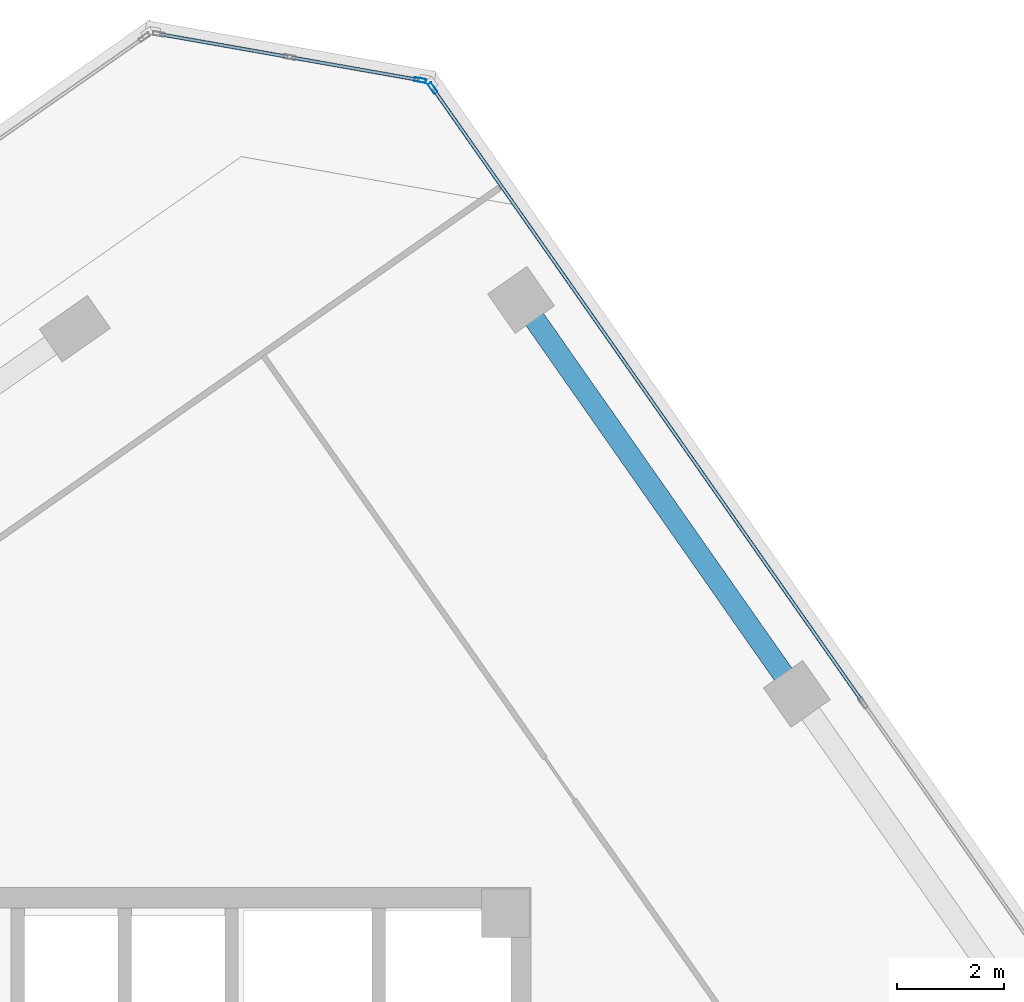
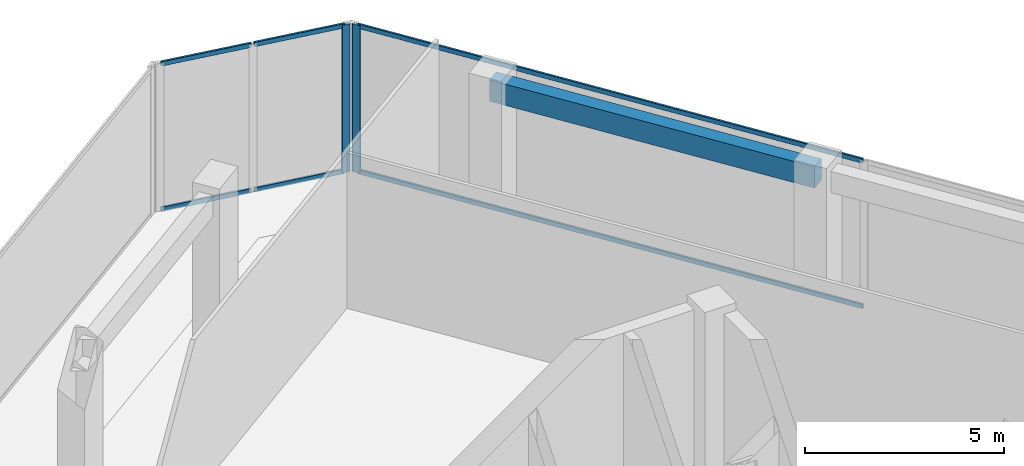
# One storey, part 9 of 16: 8 members, 1 beam, 2 elements without a shape of their own.
"""IFC4 building model written with IfcOpenShell, lengths in metres."""

from ifc_helpers import new_model, si_unit, direction, frame, origin, origin_2d, place, context, subcontext, project, spatial, rectangle, hollow_rectangle, extrude, source, transform, mapped, material, material_profile, profile_set, type_object, element, aggregate, save


model = new_model("IFC4")

# Units and contexts
model_context = context("Model", 3, precision=1e-05, world=origin(), true_north=direction((0.0, 1.0)))
body_context = subcontext(model_context, "Body", "Model", "MODEL_VIEW")
ifc_project = project(units=[si_unit("LENGTHUNIT", "METRE"), si_unit("AREAUNIT", "SQUARE_METRE"), si_unit("VOLUMEUNIT", "CUBIC_METRE"), si_unit("PLANEANGLEUNIT", "RADIAN"), si_unit("MASSUNIT", "GRAM", prefix="KILO")], contexts=[model_context])

# Site, building, storey
site_placement = place(None, origin())
site = spatial("IfcSite", under=ifc_project, at=site_placement, CompositionType="ELEMENT")
building_placement = place(site_placement, origin())
building = spatial("IfcBuilding", under=site, at=building_placement, Name="Torre Montelarca", CompositionType="ELEMENT")
storey_placement = place(building_placement, frame((0.0, 0.0, 293.800048828125)))
storey = spatial("IfcBuildingStorey", under=building, at=storey_placement, Name="L66", CompositionType="ELEMENT", Elevation=293.800048828125)

# Beam
ifc_material_1 = material(Name="Concrete C40/50", Category="concrete")
ifc_material_profile_1 = material_profile(ifc_material_1, rectangle(XDim=0.39990234375, YDim=0.64990234375, at=origin_2d()), Name="RCB400X650", Category="concrete")
ifc_profile_set_1 = profile_set([ifc_material_profile_1], Name="Concrete C40/50")
beam_type = type_object("IfcBeamType", Name="BM-SP-RC650-EXT", PredefinedType="SPANDREL", material=ifc_profile_set_1)
shared_shape_1 = source(origin(), body_context, "Body", "SweptSolid", [
    extrude(rectangle(XDim=0.39990234375, YDim=0.64990234375, at=origin_2d()), origin(), (0.0, 0.0, 1.0), 9.0),
])
beam_placement = place(storey_placement, frame((26.740478515625, 50.92919921875, 4.43505859375), z_axis=(0.573560650686, -0.819163097304, 0.0), x_axis=(0.819163097304, 0.573560650686, 0.0)))
element("IfcBeam", 1, at=beam_placement, inside=storey, type_object=beam_type, Name="L66 Grid Girder X 9.0-18.0 at Y=47.1", PredefinedType="SPANDREL", context=body_context, shape_type="MappedRepresentation", body=[
    mapped(shared_shape_1, transform((0.0, 0.0, 0.0), scale=1.0)),
])

# Curtain wall, member
ifc_material_2 = material(Name="Insulated low-E laminated glass", Category="glass")
curtain_wall_type = type_object("IfcCurtainWallType", Name="CW-SYS-Z4", PredefinedType="USERDEFINED", material=ifc_material_2)
curtain_wall_1_placement = place(storey_placement, origin())
curtain_wall_1 = element("IfcCurtainWall", 2, at=curtain_wall_1_placement, inside=storey, type_object=curtain_wall_type, Name="L66 Curtain Wall Run CW-T3-L66-E08-B1", ObjectType="UNITISED GLAZING", PredefinedType="USERDEFINED")
ifc_material_3 = material(Name="Anodised aluminium AA 6063-T6", Category="aluminium")
ifc_material_profile_2 = material_profile(ifc_material_3, hollow_rectangle(XDim=0.074951171875, YDim=0.219970703125, WallThickness=0.0048828125, InnerFilletRadius=0.0048828125, OuterFilletRadius=0.010009765625, at=origin_2d()), Name="ALU75X220X5", Category="aluminium")
ifc_profile_set_2 = profile_set([ifc_material_profile_2], Name="Anodised aluminium AA 6063-T6")
member_type_1 = type_object("IfcMemberType", Name="CWM-ALU220", PredefinedType="MULLION", material=ifc_profile_set_2)
shared_shape_2 = source(origin(), body_context, "Body", "SweptSolid", [
    extrude(hollow_rectangle(XDim=0.074951171875, YDim=0.219970703125, WallThickness=0.0048828125, InnerFilletRadius=0.0048828125, OuterFilletRadius=0.010009765625, at=origin_2d()), origin(), (0.0, 0.0, 1.0), 4.52001953125),
])
member_1_placement = place(storey_placement, frame((25.0869140625, 54.89453125, 0.0), z_axis=(0.0, 0.0, 1.0), x_axis=(-0.819155860287, -0.573570986503, 0.0)))
member_1 = element("IfcMember", 3, at=member_1_placement, type_object=member_type_1, Name="CW mullion 3", PredefinedType="MULLION", context=body_context, shape_type="MappedRepresentation", body=[
    mapped(shared_shape_2, transform((0.0, 0.0, 0.0), scale=1.0)),
])

# Curtain wall, members
curtain_wall_2_placement = place(storey_placement, origin())
curtain_wall_2 = element("IfcCurtainWall", 4, at=curtain_wall_2_placement, inside=storey, type_object=curtain_wall_type, Name="L66 Curtain Wall Run CW-T3-L66-E09-B1", ObjectType="UNITISED GLAZING", PredefinedType="USERDEFINED")
member_2_placement = place(storey_placement, frame((24.85400390625, 55.04296875, 0.0), z_axis=(0.0, 0.0, 1.0), x_axis=(-0.173634856638, -0.984810101776, 0.0)))
member_2 = element("IfcMember", 5, at=member_2_placement, type_object=member_type_1, Name="CW mullion 1", PredefinedType="MULLION", context=body_context, shape_type="MappedRepresentation", body=[
    mapped(shared_shape_2, transform((0.0, 0.0, 0.0), scale=1.0)),
])
ifc_material_profile_3 = material_profile(ifc_material_3, hollow_rectangle(XDim=0.06494140625, YDim=0.139892578125, WallThickness=0.00390625, InnerFilletRadius=0.00390625, OuterFilletRadius=0.008056640625, at=origin_2d()), Name="ALU65X140X4", Category="aluminium")
ifc_profile_set_3 = profile_set([ifc_material_profile_3], Name="Anodised aluminium AA 6063-T6")
member_type_2 = type_object("IfcMemberType", Name="CWT-ALU140", PredefinedType="USERDEFINED", material=ifc_profile_set_3)
shared_shape_3 = source(origin(), body_context, "Body", "SweptSolid", [
    extrude(hollow_rectangle(XDim=0.06494140625, YDim=0.139892578125, WallThickness=0.00390625, InnerFilletRadius=0.00390625, OuterFilletRadius=0.008056640625, at=origin_2d()), origin(), (0.0, 0.0, 1.0), 2.40869140625),
])
member_3_placement = place(storey_placement, frame((24.817138671875, 55.04931640625, 0.032470703125), z_axis=(-0.984811097241, 0.173629210537, 0.0), x_axis=(-0.173629210537, -0.984811097241, 0.0)))
member_3 = element("IfcMember", 6, at=member_3_placement, type_object=member_type_2, Name="CW transom 1.1", ObjectType="TRANSOM", PredefinedType="USERDEFINED", context=body_context, shape_type="MappedRepresentation", body=[
    mapped(shared_shape_3, transform((0.0, 0.0, 0.0), scale=1.0)),
])
member_4_placement = place(storey_placement, frame((24.817138671875, 55.04931640625, 4.487548828125), z_axis=(-0.984811097241, 0.173629210537, 0.0), x_axis=(-0.173629210537, -0.984811097241, 0.0)))
member_4 = element("IfcMember", 7, at=member_4_placement, type_object=member_type_2, Name="CW transom 1.2", ObjectType="TRANSOM", PredefinedType="USERDEFINED", context=body_context, shape_type="MappedRepresentation", body=[
    mapped(shared_shape_3, transform((0.0, 0.0, 0.0), scale=1.0)),
])

# Member
shared_shape_4 = source(origin(), body_context, "Body", "SweptSolid", [
    extrude(hollow_rectangle(XDim=0.06494140625, YDim=0.139892578125, WallThickness=0.00390625, InnerFilletRadius=0.00390625, OuterFilletRadius=0.008056640625, at=origin_2d()), origin(), (0.0, 0.0, 1.0), 13.971923828125),
])
member_5_placement = place(storey_placement, frame((33.122314453125, 43.418701171875, 0.032470703125), z_axis=(-0.57357609417, 0.819152283887, 0.0), x_axis=(-0.819152283887, -0.57357609417, 0.0)))
member_5 = element("IfcMember", 8, at=member_5_placement, type_object=member_type_2, Name="CW transom 2.1", ObjectType="TRANSOM", PredefinedType="USERDEFINED", context=body_context, shape_type="MappedRepresentation", body=[
    mapped(shared_shape_4, transform((0.0, 0.0, 0.0), scale=1.0)),
])

member_6_placement = place(storey_placement, frame((33.122314453125, 43.418701171875, 4.487548828125), z_axis=(-0.57357609417, 0.819152283887, 0.0), x_axis=(-0.819152283887, -0.57357609417, 0.0)))
member_6 = element("IfcMember", 9, at=member_6_placement, type_object=member_type_2, Name="CW transom 2.2", ObjectType="TRANSOM", PredefinedType="USERDEFINED", context=body_context, shape_type="MappedRepresentation", body=[
    mapped(shared_shape_4, transform((0.0, 0.0, 0.0), scale=1.0)),
])

aggregate(curtain_wall_1, [member_1, member_5, member_6])

shared_shape_5 = source(origin(), body_context, "Body", "SweptSolid", [
    extrude(hollow_rectangle(XDim=0.06494140625, YDim=0.139892578125, WallThickness=0.00390625, InnerFilletRadius=0.00390625, OuterFilletRadius=0.008056640625, at=origin_2d()), origin(), (0.0, 0.0, 1.0), 2.408447265625),
])
member_7_placement = place(storey_placement, frame((22.37109375, 55.480712890625, 0.032470703125), z_axis=(-0.984808041081, 0.173646543939, 0.0), x_axis=(-0.173646543939, -0.984808041081, 0.0)))
member_7 = element("IfcMember", 10, at=member_7_placement, type_object=member_type_2, Name="CW transom 2.1", ObjectType="TRANSOM", PredefinedType="USERDEFINED", context=body_context, shape_type="MappedRepresentation", body=[
    mapped(shared_shape_5, transform((0.0, 0.0, 0.0), scale=1.0)),
])

member_8_placement = place(storey_placement, frame((22.37109375, 55.480712890625, 4.487548828125), z_axis=(-0.984808041081, 0.173646543939, 0.0), x_axis=(-0.173646543939, -0.984808041081, 0.0)))
member_8 = element("IfcMember", 11, at=member_8_placement, type_object=member_type_2, Name="CW transom 2.2", ObjectType="TRANSOM", PredefinedType="USERDEFINED", context=body_context, shape_type="MappedRepresentation", body=[
    mapped(shared_shape_5, transform((0.0, 0.0, 0.0), scale=1.0)),
])

aggregate(curtain_wall_2, [member_2, member_3, member_4, member_7, member_8])

save(model, "model.ifc")
